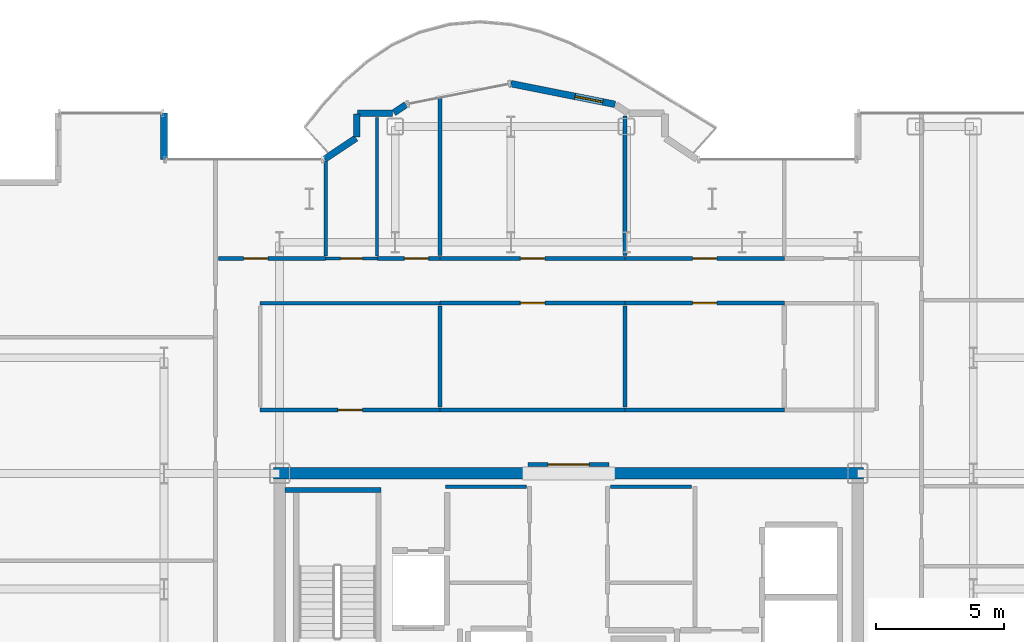
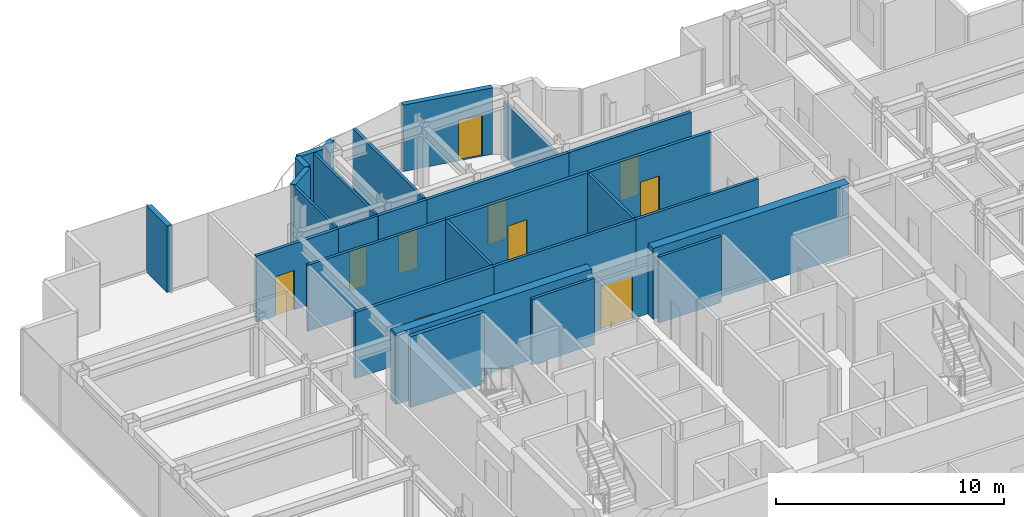
# One storey, part 18 of 21: 29 walls, 10 doors, 10 openings.
"""IFC4 building model written with IfcOpenShell, lengths in metres."""

from ifc_helpers import new_model, si_unit, direction, frame, frame_2d, origin, place, context, subcontext, project, spatial, rectangle, extrude, source, transform, mapped, material, layer, layer_set, type_object, element, fill, save


model = new_model("IFC4")

# Units and contexts
model_context = context("Model", 3, precision=1e-05, world=origin(), true_north=direction((0.0, 1.0)))
body_context = subcontext(model_context, "Body", "Model", "MODEL_VIEW")
ifc_project = project(units=[si_unit("LENGTHUNIT", "METRE"), si_unit("AREAUNIT", "SQUARE_METRE"), si_unit("VOLUMEUNIT", "CUBIC_METRE"), si_unit("PLANEANGLEUNIT", "RADIAN"), si_unit("MASSUNIT", "GRAM", prefix="KILO")], contexts=[model_context])

# Site, building, storey
site_placement = place(None, origin())
site = spatial("IfcSite", under=ifc_project, at=site_placement, CompositionType="ELEMENT")
building_placement = place(site_placement, origin())
building = spatial("IfcBuilding", under=site, at=building_placement, Name="Nefas-Gora Pilgrimage Tower", CompositionType="ELEMENT")
storey_placement = place(building_placement, frame((0.0, 0.0, 248.39990234375)))
storey = spatial("IfcBuildingStorey", under=building, at=storey_placement, Name="L62", CompositionType="ELEMENT", Elevation=248.39990234375)

# Walls
ifc_material_1 = material(Name="Concrete C50/60", Category="concrete")
ifc_layer_1 = layer(ifc_material_1, 0.449951171875)
ifc_layer_set_1 = layer_set([ifc_layer_1], Name="Concrete C50/60")
wall_type_1 = type_object("IfcWallType", Name="SW-CORE-450", PredefinedType="SHEAR", material=ifc_layer_set_1)
shared_shape_1 = source(origin(), body_context, "Body", "SweptSolid", [
    extrude(rectangle(XDim=9.925048828125, YDim=0.449951171875, at=frame_2d((4.96240234375, 0.0))), origin(), (0.0, 0.0, 1.0), 3.800048828125),
])
for number, where, z_axis, x_axis, name in (
    (1, (-11.47509765625, 9.0, 0.0), (0.0, 0.0, 1.0), (1.0, 0.0, 0.0), "L62 Core Shear Wall N-West"),
    (2, (1.550048828125, 9.0, 0.0), (0.0, 0.0, 1.0), (1.0, 0.0, 0.0), "L62 Core Shear Wall N-East"),
):
    element("IfcWall", number, at=place(storey_placement, frame(where, z_axis=z_axis, x_axis=x_axis)), inside=storey, type_object=wall_type_1, Name=name, PredefinedType="SHEAR", context=body_context, shape_type="MappedRepresentation", body=[
        mapped(shared_shape_1, transform((0.0, 0.0, 0.0), x_axis=(1.0, 0.0, 0.0), y_axis=(0.0, 1.0, 0.0), z_axis=(0.0, 0.0, 1.0), scale=1.0)),
    ])
ifc_material_2 = material(Name="Precast concrete C40/50", Category="concrete")
ifc_layer_2 = layer(ifc_material_2, 0.260009765625)
ifc_layer_set_2 = layer_set([ifc_layer_2], Name="Precast concrete C40/50")
wall_type_2 = type_object("IfcWallType", Name="EW-PORTAL-260", PredefinedType="SOLIDWALL", material=ifc_layer_set_2)
shared_shape_2 = source(origin(), body_context, "Body", "SweptSolid", [
    extrude(rectangle(XDim=1.800048828125, YDim=0.260009765625, at=frame_2d((0.89990234375, 0.0))), origin(), (0.0, 0.0, 1.0), 3.550048828125),
])
wall_1_placement = place(storey_placement, frame((-15.75, 21.219970703125, 0.0), z_axis=(0.0, 0.0, 1.0), x_axis=(0.0, 1.0, 0.0)))
element("IfcWall", 3, at=wall_1_placement, inside=storey, type_object=wall_type_2, Name="L62 Lobe Shoulder Precast Spandrel Pier 20", PredefinedType="SOLIDWALL", context=body_context, shape_type="MappedRepresentation", body=[
    mapped(shared_shape_2, transform((0.0, 0.0, 0.0), x_axis=(1.0, 0.0, 0.0), y_axis=(0.0, 1.0, 0.0), z_axis=(0.0, 0.0, 1.0), scale=1.0)),
])
shared_shape_3 = source(origin(), body_context, "Body", "SweptSolid", [
    extrude(rectangle(XDim=1.468994140625, YDim=0.260009765625, at=frame_2d((0.734375, 0.0))), origin(), (0.0, 0.0, 1.0), 3.550048828125),
])
wall_2_placement = place(storey_placement, frame((-8.273193359375, 22.0517578125, 0.0), z_axis=(0.0, 0.0, 1.0), x_axis=(-0.831461760506, -0.555581983884, 0.0)))
element("IfcWall", 4, at=wall_2_placement, inside=storey, type_object=wall_type_2, Name="L62 Lobe Shoulder Precast Spandrel Pier 19", PredefinedType="SOLIDWALL", context=body_context, shape_type="MappedRepresentation", body=[
    mapped(shared_shape_3, transform((0.0, 0.0, 0.0), x_axis=(1.0, 0.0, 0.0), y_axis=(0.0, 1.0, 0.0), z_axis=(0.0, 0.0, 1.0), scale=1.0)),
])
shared_shape_4 = source(origin(), body_context, "Body", "SweptSolid", [
    extrude(rectangle(XDim=0.896728515625, YDim=0.260009765625, at=frame_2d((0.4482421875, 0.0))), origin(), (0.0, 0.0, 1.0), 3.550048828125),
])
wall_3_placement = place(storey_placement, frame((-8.25, 22.991943359375, 0.0), z_axis=(0.0, 0.0, 1.0), x_axis=(0.0, -1.0, 0.0)))
element("IfcWall", 5, at=wall_3_placement, inside=storey, type_object=wall_type_2, Name="L62 Lobe Shoulder Precast Spandrel Pier 18", PredefinedType="SOLIDWALL", context=body_context, shape_type="MappedRepresentation", body=[
    mapped(shared_shape_4, transform((0.0, 0.0, 0.0), x_axis=(1.0, 0.0, 0.0), y_axis=(0.0, 1.0, 0.0), z_axis=(0.0, 0.0, 1.0), scale=1.0)),
])
shared_shape_5 = source(origin(), body_context, "Body", "SweptSolid", [
    extrude(rectangle(XDim=1.369873046875, YDim=0.260009765625, at=frame_2d((0.68505859375, 0.0))), origin(), (0.0, 0.0, 1.0), 3.550048828125),
])
wall_4_placement = place(storey_placement, frame((-6.85205078125, 23.02001953125, 0.0), z_axis=(0.0, 0.0, 1.0), x_axis=(-1.0, 0.0, 0.0)))
element("IfcWall", 6, at=wall_4_placement, inside=storey, type_object=wall_type_2, Name="L62 Lobe Shoulder Precast Spandrel Pier 17", PredefinedType="SOLIDWALL", context=body_context, shape_type="MappedRepresentation", body=[
    mapped(shared_shape_5, transform((0.0, 0.0, 0.0), x_axis=(1.0, 0.0, 0.0), y_axis=(0.0, 1.0, 0.0), z_axis=(0.0, 0.0, 1.0), scale=1.0)),
])
shared_shape_6 = source(origin(), body_context, "Body", "SweptSolid", [
    extrude(rectangle(XDim=0.5654296875, YDim=0.260009765625, at=frame_2d((0.28271484375, 0.0))), origin(), (0.0, 0.0, 1.0), 3.550048828125),
])
wall_5_placement = place(storey_placement, frame((-6.33056640625, 23.349609375, 0.0), z_axis=(0.0, 0.0, 1.0), x_axis=(-0.831651492666, -0.555297933317, 0.0)))
element("IfcWall", 7, at=wall_5_placement, inside=storey, type_object=wall_type_2, Name="L62 Lobe Shoulder Precast Spandrel Pier 16", PredefinedType="SOLIDWALL", context=body_context, shape_type="MappedRepresentation", body=[
    mapped(shared_shape_6, transform((0.0, 0.0, 0.0), x_axis=(1.0, 0.0, 0.0), y_axis=(0.0, 1.0, 0.0), z_axis=(0.0, 0.0, 1.0), scale=1.0)),
])

# Wall, opening, door
shared_shape_7 = source(origin(), body_context, "Body", "SweptSolid", [
    extrude(rectangle(XDim=4.136962890625, YDim=0.260009765625, at=frame_2d((2.068359375, 0.0))), origin(), (0.0, 0.0, 1.0), 3.550048828125),
])
wall_6_placement = place(storey_placement, frame((1.807373046875, 23.365234375, 0.0), z_axis=(0.0, 0.0, 1.0), x_axis=(-0.980782170794, 0.195105954428, 0.0)))
wall_6 = element("IfcWall", 8, at=wall_6_placement, inside=storey, type_object=wall_type_2, Name="L62 Insulated Terrace Portal Wall 15", PredefinedType="SOLIDWALL", context=body_context, shape_type="MappedRepresentation", body=[
    mapped(shared_shape_7, transform((0.0, 0.0, 0.0), x_axis=(1.0, 0.0, 0.0), y_axis=(0.0, 1.0, 0.0), z_axis=(0.0, 0.0, 1.0), scale=1.0)),
])
opening_1_placement = place(wall_6_placement, frame((0.48779296875, 0.0, 0.0)))
opening_1 = element("IfcOpeningElement", 9, at=opening_1_placement, cuts=wall_6, Name="Opening ED-B1", PredefinedType="OPENING", context=body_context, shape_type="SweptSolid", body=[
    extrude(rectangle(XDim=1.10009765625, YDim=2.199951171875, at=frame_2d((0.550048828125, 1.10009765625))), frame((0.0, 0.139892578125, 0.0), z_axis=(0.0, -1.0, 0.0), x_axis=(1.0, 0.0, 0.0)), (0.0, 0.0, 1.0), 0.280029296875),
])
ifc_material_3 = material(Name="Thermally broken glazed aluminium balcony door", Category="aluminium")
door_type_1 = type_object("IfcDoorType", Name="DR-EXT-BAL-1100", OperationType="NOTDEFINED", PredefinedType="DOOR", material=ifc_material_3)
shared_shape_8 = source(origin(), body_context, "Body", "SweptSolid", [
    extrude(rectangle(XDim=1.10009765625, YDim=2.199951171875, at=frame_2d((0.550048828125, 1.10009765625))), frame((0.0, 0.02490234375, 0.0), z_axis=(0.0, -1.0, 0.0), x_axis=(1.0, 0.0, 0.0)), (0.0, 0.0, 1.0), 0.050048828125),
])
door_1_placement = place(opening_1_placement, origin())
door_1 = element("IfcDoor", 10, at=door_1_placement, inside=storey, type_object=door_type_1, Name="L62 Exterior Door (L62 N Lobe Wave Balcony)", OperationType="SINGLE_SWING_LEFT", OverallHeight=2.199951171875, OverallWidth=1.10009765625, PredefinedType="DOOR", context=body_context, shape_type="MappedRepresentation", body=[
    mapped(shared_shape_8, transform((0.0, 0.0, 0.0), x_axis=(1.0, 0.0, 0.0), y_axis=(0.0, 1.0, 0.0), z_axis=(0.0, 0.0, 1.0), scale=1.0)),
])
fill(opening_1, door_1)

# Walls
ifc_material_4 = material(Name="Concrete C45/55", Category="concrete")
ifc_layer_3 = layer(ifc_material_4, 0.199951171875)
ifc_layer_set_3 = layer_set([ifc_layer_3], Name="Concrete C45/55")
wall_type_3 = type_object("IfcWallType", Name="IW-STAIR-200", PredefinedType="SOLIDWALL", material=ifc_layer_set_3)
shared_shape_9 = source(origin(), body_context, "Body", "SweptSolid", [
    extrude(rectangle(XDim=3.72998046875, YDim=0.199951171875, at=frame_2d((1.864990234375, 0.0))), origin(), (0.0, 0.0, 1.0), 3.800048828125),
])
wall_7_placement = place(storey_placement, frame((-7.300048828125, 8.35009765625, 0.0), z_axis=(0.0, 0.0, 1.0), x_axis=(-1.0, 0.0, 0.0)))
element("IfcWall", 11, at=wall_7_placement, inside=storey, type_object=wall_type_3, Name="L62 Stairwell Shear Wall ST-01-far", PredefinedType="SOLIDWALL", context=body_context, shape_type="MappedRepresentation", body=[
    mapped(shared_shape_9, transform((0.0, 0.0, 0.0), x_axis=(1.0, 0.0, 0.0), y_axis=(0.0, 1.0, 0.0), z_axis=(0.0, 0.0, 1.0), scale=1.0)),
])
ifc_material_5 = material(Name="Gypsum twin-stud partition")
ifc_layer_4 = layer(ifc_material_5, 0.139892578125)
ifc_layer_set_4 = layer_set([ifc_layer_4], Name="Gypsum twin-stud partition")
wall_type_4 = type_object("IfcWallType", Name="IW-UNIT-140", PredefinedType="PARTITIONING", material=ifc_layer_set_4)
shared_shape_10 = source(origin(), body_context, "Body", "SweptSolid", [
    extrude(rectangle(XDim=3.150146484375, YDim=0.139892578125, at=frame_2d((1.5751953125, 0.0))), origin(), (0.0, 0.0, 1.0), 3.53515625),
])
for number, where, z_axis, x_axis, name in (
    (12, (-4.7900390625, 8.47998046875, 0.0), (0.0, 0.0, 1.0), (1.0, 0.0, 0.0), "L62 Archival Supply Store Partition Wall 21"),
    (13, (1.639892578125, 8.47998046875, 0.0), (0.0, 0.0, 1.0), (1.0, 0.0, 0.0), "L62 Amenity Supply Store Partition Wall 25"),
):
    element("IfcWall", number, at=place(storey_placement, frame(where, z_axis=z_axis, x_axis=x_axis)), inside=storey, type_object=wall_type_4, Name=name, PredefinedType="PARTITIONING", context=body_context, shape_type="MappedRepresentation", body=[
        mapped(shared_shape_10, transform((0.0, 0.0, 0.0), x_axis=(1.0, 0.0, 0.0), y_axis=(0.0, 1.0, 0.0), z_axis=(0.0, 0.0, 1.0), scale=1.0)),
    ])

# Wall, opening, door
ifc_material_6 = material(Name="Moisture-resistant fire-rated gypsum partition")
ifc_layer_5 = layer(ifc_material_6, 0.1201171875)
ifc_layer_set_5 = layer_set([ifc_layer_5], Name="Moisture-resistant fire-rated gypsum partition")
wall_type_5 = type_object("IfcWallType", Name="IW-WET-120", PredefinedType="PLUMBINGWALL", material=ifc_layer_set_5)
shared_shape_11 = source(origin(), body_context, "Body", "SweptSolid", [
    extrude(rectangle(XDim=2.02001953125, YDim=0.1201171875, at=frame_2d((1.010009765625, 0.0))), origin(), (0.0, 0.0, 1.0), 3.53515625),
])
wall_8_placement = place(storey_placement, frame((-9.4599609375, 17.3701171875, 0.0), z_axis=(0.0, 0.0, 1.0), x_axis=(1.0, 0.0, 0.0)))
wall_8 = element("IfcWall", 14, at=wall_8_placement, inside=storey, type_object=wall_type_5, Name="L62 Accessible Unisex WC Partition Wall 29", PredefinedType="PLUMBINGWALL", context=body_context, shape_type="MappedRepresentation", body=[
    mapped(shared_shape_11, transform((0.0, 0.0, 0.0), x_axis=(1.0, 0.0, 0.0), y_axis=(0.0, 1.0, 0.0), z_axis=(0.0, 0.0, 1.0), scale=1.0)),
])
opening_2_placement = place(wall_8_placement, frame((0.5849609375, 0.0, 0.0)))
opening_2 = element("IfcOpeningElement", 15, at=opening_2_placement, cuts=wall_8, Name="Opening ID-BT1", PredefinedType="OPENING", context=body_context, shape_type="SweptSolid", body=[
    extrude(rectangle(XDim=0.85009765625, YDim=2.10009765625, at=frame_2d((0.425048828125, 1.050048828125))), frame((0.0, 0.070068359375, 0.0), z_axis=(0.0, -1.0, 0.0), x_axis=(1.0, 0.0, 0.0)), (0.0, 0.0, 1.0), 0.14013671875),
])
ifc_material_7 = material(Name="Moisture-resistant fire-rated timber door", Category="wood")
door_type_2 = type_object("IfcDoorType", Name="DR-INT-BATH-850", OperationType="NOTDEFINED", PredefinedType="DOOR", material=ifc_material_7)
shared_shape_12 = source(origin(), body_context, "Body", "SweptSolid", [
    extrude(rectangle(XDim=0.85009765625, YDim=2.10009765625, at=frame_2d((0.425048828125, 1.050048828125))), frame((0.0, 0.02490234375, 0.0), z_axis=(0.0, -1.0, 0.0), x_axis=(1.0, 0.0, 0.0)), (0.0, 0.0, 1.0), 0.050048828125),
])
door_2_placement = place(opening_2_placement, origin())
door_2 = element("IfcDoor", 16, at=door_2_placement, inside=storey, type_object=door_type_2, Name="L62 Accessible Unisex WC Door 12", OperationType="SINGLE_SWING_RIGHT", OverallHeight=2.10009765625, OverallWidth=0.85009765625, PredefinedType="DOOR", context=body_context, shape_type="MappedRepresentation", body=[
    mapped(shared_shape_12, transform((0.0, 0.0, 0.0), x_axis=(1.0, 0.0, 0.0), y_axis=(0.0, 1.0, 0.0), z_axis=(0.0, 0.0, 1.0), scale=1.0)),
])
fill(opening_2, door_2)

ifc_material_8 = material(Name="Gypsum acoustic stud partition")
ifc_layer_6 = layer(ifc_material_8, 0.159912109375)
ifc_layer_set_6 = layer_set([ifc_layer_6], Name="Gypsum acoustic stud partition")
wall_type_6 = type_object("IfcWallType", Name="IW-CORR-160", PredefinedType="PARTITIONING", material=ifc_layer_set_6)
shared_shape_13 = source(origin(), body_context, "Body", "SweptSolid", [
    extrude(rectangle(XDim=6.2099609375, YDim=0.159912109375, at=frame_2d((3.10498046875, 0.0))), origin(), (0.0, 0.0, 1.0), 3.53515625),
])
wall_9_placement = place(storey_placement, frame((2.195068359375, 17.3701171875, 0.0), z_axis=(0.0, 0.0, 1.0), x_axis=(1.0, 0.0, 0.0)))
wall_9 = element("IfcWall", 17, at=wall_9_placement, inside=storey, type_object=wall_type_6, Name="L62 Pilgrim Contemplative Lounge Partition Wall 68", PredefinedType="PARTITIONING", context=body_context, shape_type="MappedRepresentation", body=[
    mapped(shared_shape_13, transform((0.0, 0.0, 0.0), x_axis=(1.0, 0.0, 0.0), y_axis=(0.0, 1.0, 0.0), z_axis=(0.0, 0.0, 1.0), scale=1.0)),
])
opening_3_placement = place(wall_9_placement, frame((2.6298828125, 0.0, 0.0)))
opening_3 = element("IfcOpeningElement", 18, at=opening_3_placement, cuts=wall_9, Name="Opening ID-GR1", PredefinedType="OPENING", context=body_context, shape_type="SweptSolid", body=[
    extrude(rectangle(XDim=0.949951171875, YDim=2.10009765625, at=frame_2d((0.47509765625, 1.050048828125))), frame((0.0, 0.08984375, 0.0), z_axis=(0.0, -1.0, 0.0), x_axis=(1.0, 0.0, 0.0)), (0.0, 0.0, 1.0), 0.179931640625),
])
ifc_material_9 = material(Name="Solid core oak fire-rated guest entrance door")
door_type_3 = type_object("IfcDoorType", Name="DR-INT-GUEST-950", OperationType="NOTDEFINED", PredefinedType="DOOR", material=ifc_material_9)
shared_shape_14 = source(origin(), body_context, "Body", "SweptSolid", [
    extrude(rectangle(XDim=0.949951171875, YDim=2.10009765625, at=frame_2d((0.47509765625, 1.050048828125))), frame((0.0, 0.02490234375, 0.0), z_axis=(0.0, -1.0, 0.0), x_axis=(1.0, 0.0, 0.0)), (0.0, 0.0, 1.0), 0.050048828125),
])
door_3_placement = place(opening_3_placement, origin())
door_3 = element("IfcDoor", 19, at=door_3_placement, inside=storey, type_object=door_type_3, Name="L62 Pilgrim Contemplative Lounge Door 31", OperationType="SINGLE_SWING_LEFT", OverallHeight=2.10009765625, OverallWidth=0.949951171875, PredefinedType="DOOR", context=body_context, shape_type="MappedRepresentation", body=[
    mapped(shared_shape_14, transform((0.0, 0.0, 0.0), x_axis=(1.0, 0.0, 0.0), y_axis=(0.0, 1.0, 0.0), z_axis=(0.0, 0.0, 1.0), scale=1.0)),
])
fill(opening_3, door_3)

wall_10_placement = place(storey_placement, frame((2.195068359375, 15.6298828125, 0.0), z_axis=(0.0, 0.0, 1.0), x_axis=(1.0, 0.0, 0.0)))
wall_10 = element("IfcWall", 20, at=wall_10_placement, inside=storey, type_object=wall_type_6, Name="L62 Pilgrim Contemplative Lounge Partition Wall 70", PredefinedType="PARTITIONING", context=body_context, shape_type="MappedRepresentation", body=[
    mapped(shared_shape_13, transform((0.0, 0.0, 0.0), x_axis=(1.0, 0.0, 0.0), y_axis=(0.0, 1.0, 0.0), z_axis=(0.0, 0.0, 1.0), scale=1.0)),
])
opening_4_placement = place(wall_10_placement, frame((2.6298828125, 0.0, 0.0)))
opening_4 = element("IfcOpeningElement", 21, at=opening_4_placement, cuts=wall_10, Name="Opening ID-GR1", PredefinedType="OPENING", context=body_context, shape_type="SweptSolid", body=[
    extrude(rectangle(XDim=0.949951171875, YDim=2.10009765625, at=frame_2d((0.47509765625, 1.050048828125))), frame((0.0, 0.08984375, 0.0), z_axis=(0.0, -1.0, 0.0), x_axis=(1.0, 0.0, 0.0)), (0.0, 0.0, 1.0), 0.179931640625),
])
door_4_placement = place(opening_4_placement, origin())
door_4 = element("IfcDoor", 22, at=door_4_placement, inside=storey, type_object=door_type_3, Name="L62 Pilgrim Contemplative Lounge Door 32", OperationType="SINGLE_SWING_RIGHT", OverallHeight=2.10009765625, OverallWidth=0.949951171875, PredefinedType="DOOR", context=body_context, shape_type="MappedRepresentation", body=[
    mapped(shared_shape_14, transform((0.0, 0.0, 0.0), x_axis=(1.0, 0.0, 0.0), y_axis=(0.0, 1.0, 0.0), z_axis=(0.0, 0.0, 1.0), scale=1.0)),
])
fill(opening_4, door_4)

# Walls
shared_shape_15 = source(origin(), body_context, "Body", "SweptSolid", [
    extrude(rectangle(XDim=5.380126953125, YDim=0.1201171875, at=frame_2d((2.68994140625, 0.0))), origin(), (0.0, 0.0, 1.0), 3.53515625),
])
wall_11_placement = place(storey_placement, frame((-7.449951171875, 17.469970703125, 0.0), z_axis=(0.0, 0.0, 1.0), x_axis=(0.0, 1.0, 0.0)))
element("IfcWall", 23, at=wall_11_placement, inside=storey, type_object=wall_type_5, Name="L62 Accessible Unisex WC Partition Wall 30", PredefinedType="PLUMBINGWALL", context=body_context, shape_type="MappedRepresentation", body=[
    mapped(shared_shape_15, transform((0.0, 0.0, 0.0), x_axis=(1.0, 0.0, 0.0), y_axis=(0.0, 1.0, 0.0), z_axis=(0.0, 0.0, 1.0), scale=1.0)),
])
shared_shape_16 = source(origin(), body_context, "Body", "SweptSolid", [
    extrude(rectangle(XDim=3.686767578125, YDim=0.1201171875, at=frame_2d((1.84326171875, 0.0))), origin(), (0.0, 0.0, 1.0), 3.53515625),
])
wall_12_placement = place(storey_placement, frame((-9.449951171875, 17.469970703125, 0.0), z_axis=(0.0, 0.0, 1.0), x_axis=(0.0, 1.0, 0.0)))
element("IfcWall", 24, at=wall_12_placement, inside=storey, type_object=wall_type_5, Name="L62 Accessible Unisex WC Partition Wall 31", PredefinedType="PLUMBINGWALL", context=body_context, shape_type="MappedRepresentation", body=[
    mapped(shared_shape_16, transform((0.0, 0.0, 0.0), x_axis=(1.0, 0.0, 0.0), y_axis=(0.0, 1.0, 0.0), z_axis=(0.0, 0.0, 1.0), scale=1.0)),
])

# Wall, opening, door
shared_shape_17 = source(origin(), body_context, "Body", "SweptSolid", [
    extrude(rectangle(XDim=7.014892578125, YDim=0.159912109375, at=frame_2d((3.50732421875, 0.0))), origin(), (0.0, 0.0, 1.0), 3.53515625),
])
wall_13_placement = place(storey_placement, frame((-12.010009765625, 11.469970703125, 0.0), z_axis=(0.0, 0.0, 1.0), x_axis=(1.0, 0.0, 0.0)))
wall_13 = element("IfcWall", 25, at=wall_13_placement, inside=storey, type_object=wall_type_6, Name="L62 Pilgrim Contemplative Lounge Partition Wall 56", PredefinedType="PARTITIONING", context=body_context, shape_type="MappedRepresentation", body=[
    mapped(shared_shape_17, transform((0.0, 0.0, 0.0), x_axis=(1.0, 0.0, 0.0), y_axis=(0.0, 1.0, 0.0), z_axis=(0.0, 0.0, 1.0), scale=1.0)),
])
opening_5_placement = place(wall_13_placement, frame((3.032470703125, 0.0, 0.0)))
opening_5 = element("IfcOpeningElement", 26, at=opening_5_placement, cuts=wall_13, Name="Opening ID-GR1", PredefinedType="OPENING", context=body_context, shape_type="SweptSolid", body=[
    extrude(rectangle(XDim=0.949951171875, YDim=2.10009765625, at=frame_2d((0.47509765625, 1.050048828125))), frame((0.0, 0.08984375, 0.0), z_axis=(0.0, -1.0, 0.0), x_axis=(1.0, 0.0, 0.0)), (0.0, 0.0, 1.0), 0.179931640625),
])
door_5_placement = place(opening_5_placement, origin())
door_5 = element("IfcDoor", 27, at=door_5_placement, inside=storey, type_object=door_type_3, Name="L62 Pilgrim Contemplative Lounge Door 26", OperationType="SINGLE_SWING_RIGHT", OverallHeight=2.10009765625, OverallWidth=0.949951171875, PredefinedType="DOOR", context=body_context, shape_type="MappedRepresentation", body=[
    mapped(shared_shape_14, transform((0.0, 0.0, 0.0), x_axis=(1.0, 0.0, 0.0), y_axis=(0.0, 1.0, 0.0), z_axis=(0.0, 0.0, 1.0), scale=1.0)),
])
fill(opening_5, door_5)

# Walls
shared_shape_18 = source(origin(), body_context, "Body", "SweptSolid", [
    extrude(rectangle(XDim=7.014892578125, YDim=0.139892578125, at=frame_2d((3.50732421875, 0.0))), origin(), (0.0, 0.0, 1.0), 3.53515625),
])
wall_14_placement = place(storey_placement, frame((-12.010009765625, 15.6298828125, 0.0), z_axis=(0.0, 0.0, 1.0), x_axis=(1.0, 0.0, 0.0)))
element("IfcWall", 28, at=wall_14_placement, inside=storey, type_object=wall_type_4, Name="L62 Pilgrim Contemplative Lounge Partition Wall 57", PredefinedType="PARTITIONING", context=body_context, shape_type="MappedRepresentation", body=[
    mapped(shared_shape_18, transform((0.0, 0.0, 0.0), x_axis=(1.0, 0.0, 0.0), y_axis=(0.0, 1.0, 0.0), z_axis=(0.0, 0.0, 1.0), scale=1.0)),
])
shared_shape_19 = source(origin(), body_context, "Body", "SweptSolid", [
    extrude(rectangle(XDim=3.929931640625, YDim=0.139892578125, at=frame_2d((1.96484375, 0.0))), origin(), (0.0, 0.0, 1.0), 3.53515625),
])
for number, where, z_axis, x_axis, name in (
    (29, (-5.0048828125, 11.590087890625, 0.0), (0.0, 0.0, 1.0), (0.0, 1.0, 0.0), "L62 Pilgrim Contemplative Lounge Partition Wall 59"),
    (30, (2.195068359375, 11.580078125, 0.0), (0.0, 0.0, 1.0), (0.0, 1.0, 0.0), "L62 Pilgrim Contemplative Lounge Partition Wall 67"),
):
    element("IfcWall", number, at=place(storey_placement, frame(where, z_axis=z_axis, x_axis=x_axis)), inside=storey, type_object=wall_type_4, Name=name, PredefinedType="PARTITIONING", context=body_context, shape_type="MappedRepresentation", body=[
        mapped(shared_shape_19, transform((0.0, 0.0, 0.0), x_axis=(1.0, 0.0, 0.0), y_axis=(0.0, 1.0, 0.0), z_axis=(0.0, 0.0, 1.0), scale=1.0)),
    ])

# Wall, opening, door
shared_shape_20 = source(origin(), body_context, "Body", "SweptSolid", [
    extrude(rectangle(XDim=2.44482421875, YDim=0.159912109375, at=frame_2d((1.222412109375, 0.0))), origin(), (0.0, 0.0, 1.0), 3.53515625),
])
wall_15_placement = place(storey_placement, frame((-7.43994140625, 17.3701171875, 0.0), z_axis=(0.0, 0.0, 1.0), x_axis=(1.0, 0.0, 0.0)))
wall_15 = element("IfcWall", 31, at=wall_15_placement, inside=storey, type_object=wall_type_6, Name="L62 Pilgrim Contemplative Lounge Partition Wall 60", PredefinedType="PARTITIONING", context=body_context, shape_type="MappedRepresentation", body=[
    mapped(shared_shape_20, transform((0.0, 0.0, 0.0), x_axis=(1.0, 0.0, 0.0), y_axis=(0.0, 1.0, 0.0), z_axis=(0.0, 0.0, 1.0), scale=1.0)),
])
opening_6_placement = place(wall_15_placement, frame((1.046630859375, 0.0, 0.0)))
opening_6 = element("IfcOpeningElement", 32, at=opening_6_placement, cuts=wall_15, Name="Opening ID-GR1", PredefinedType="OPENING", context=body_context, shape_type="SweptSolid", body=[
    extrude(rectangle(XDim=0.949951171875, YDim=2.10009765625, at=frame_2d((0.47509765625, 1.050048828125))), frame((0.0, 0.08984375, 0.0), z_axis=(0.0, -1.0, 0.0), x_axis=(1.0, 0.0, 0.0)), (0.0, 0.0, 1.0), 0.179931640625),
])
door_6_placement = place(opening_6_placement, origin())
door_6 = element("IfcDoor", 33, at=door_6_placement, inside=storey, type_object=door_type_3, Name="L62 Pilgrim Contemplative Lounge Door 27", OperationType="SINGLE_SWING_LEFT", OverallHeight=2.10009765625, OverallWidth=0.949951171875, PredefinedType="DOOR", context=body_context, shape_type="MappedRepresentation", body=[
    mapped(shared_shape_14, transform((0.0, 0.0, 0.0), x_axis=(1.0, 0.0, 0.0), y_axis=(0.0, 1.0, 0.0), z_axis=(0.0, 0.0, 1.0), scale=1.0)),
])
fill(opening_6, door_6)

# Wall
shared_shape_21 = source(origin(), body_context, "Body", "SweptSolid", [
    extrude(rectangle(XDim=6.15673828125, YDim=0.139892578125, at=frame_2d((3.078369140625, 0.0))), origin(), (0.0, 0.0, 1.0), 3.53515625),
])
wall_16_placement = place(storey_placement, frame((-5.0048828125, 17.489990234375, 0.0), z_axis=(0.0, 0.0, 1.0), x_axis=(0.0, 1.0, 0.0)))
element("IfcWall", 34, at=wall_16_placement, inside=storey, type_object=wall_type_4, Name="L62 Pilgrim Contemplative Lounge Partition Wall 61", PredefinedType="PARTITIONING", context=body_context, shape_type="MappedRepresentation", body=[
    mapped(shared_shape_21, transform((0.0, 0.0, 0.0), x_axis=(1.0, 0.0, 0.0), y_axis=(0.0, 1.0, 0.0), z_axis=(0.0, 0.0, 1.0), scale=1.0)),
])

# Wall, opening, door
shared_shape_22 = source(origin(), body_context, "Body", "SweptSolid", [
    extrude(rectangle(XDim=4.16015625, YDim=0.159912109375, at=frame_2d((2.080078125, 0.0))), origin(), (0.0, 0.0, 1.0), 3.53515625),
])
wall_17_placement = place(storey_placement, frame((-13.6201171875, 17.3701171875, 0.0), z_axis=(0.0, 0.0, 1.0), x_axis=(1.0, 0.0, 0.0)))
wall_17 = element("IfcWall", 35, at=wall_17_placement, inside=storey, type_object=wall_type_6, Name="L62 Pilgrim Contemplative Lounge Partition Wall 62", PredefinedType="PARTITIONING", context=body_context, shape_type="MappedRepresentation", body=[
    mapped(shared_shape_22, transform((0.0, 0.0, 0.0), x_axis=(1.0, 0.0, 0.0), y_axis=(0.0, 1.0, 0.0), z_axis=(0.0, 0.0, 1.0), scale=1.0)),
])
opening_7_placement = place(wall_17_placement, frame((0.968994140625, 0.0, 0.0)))
opening_7 = element("IfcOpeningElement", 36, at=opening_7_placement, cuts=wall_17, Name="Opening ID-GR1", PredefinedType="OPENING", context=body_context, shape_type="SweptSolid", body=[
    extrude(rectangle(XDim=0.949951171875, YDim=2.10009765625, at=frame_2d((0.47509765625, 1.050048828125))), frame((0.0, 0.08984375, 0.0), z_axis=(0.0, -1.0, 0.0), x_axis=(1.0, 0.0, 0.0)), (0.0, 0.0, 1.0), 0.179931640625),
])
door_7_placement = place(opening_7_placement, origin())
door_7 = element("IfcDoor", 37, at=door_7_placement, inside=storey, type_object=door_type_3, Name="L62 Pilgrim Contemplative Lounge Door 28", OperationType="SINGLE_SWING_RIGHT", OverallHeight=2.10009765625, OverallWidth=0.949951171875, PredefinedType="DOOR", context=body_context, shape_type="MappedRepresentation", body=[
    mapped(shared_shape_14, transform((0.0, 0.0, 0.0), x_axis=(1.0, 0.0, 0.0), y_axis=(0.0, 1.0, 0.0), z_axis=(0.0, 0.0, 1.0), scale=1.0)),
])
fill(opening_7, door_7)

shared_shape_23 = source(origin(), body_context, "Body", "SweptSolid", [
    extrude(rectangle(XDim=7.2099609375, YDim=0.159912109375, at=frame_2d((3.60498046875, 0.0))), origin(), (0.0, 0.0, 1.0), 3.53515625),
])
wall_18_placement = place(storey_placement, frame((-5.0048828125, 17.3701171875, 0.0), z_axis=(0.0, 0.0, 1.0), x_axis=(1.0, 0.0, 0.0)))
wall_18 = element("IfcWall", 38, at=wall_18_placement, inside=storey, type_object=wall_type_6, Name="L62 Pilgrim Contemplative Lounge Partition Wall 63", PredefinedType="PARTITIONING", context=body_context, shape_type="MappedRepresentation", body=[
    mapped(shared_shape_23, transform((0.0, 0.0, 0.0), x_axis=(1.0, 0.0, 0.0), y_axis=(0.0, 1.0, 0.0), z_axis=(0.0, 0.0, 1.0), scale=1.0)),
])
opening_8_placement = place(wall_18_placement, frame((3.1298828125, 0.0, 0.0)))
opening_8 = element("IfcOpeningElement", 39, at=opening_8_placement, cuts=wall_18, Name="Opening ID-GR1", PredefinedType="OPENING", context=body_context, shape_type="SweptSolid", body=[
    extrude(rectangle(XDim=0.949951171875, YDim=2.10009765625, at=frame_2d((0.47509765625, 1.050048828125))), frame((0.0, 0.08984375, 0.0), z_axis=(0.0, -1.0, 0.0), x_axis=(1.0, 0.0, 0.0)), (0.0, 0.0, 1.0), 0.179931640625),
])
door_8_placement = place(opening_8_placement, origin())
door_8 = element("IfcDoor", 40, at=door_8_placement, inside=storey, type_object=door_type_3, Name="L62 Pilgrim Contemplative Lounge Door 29", OperationType="SINGLE_SWING_LEFT", OverallHeight=2.10009765625, OverallWidth=0.949951171875, PredefinedType="DOOR", context=body_context, shape_type="MappedRepresentation", body=[
    mapped(shared_shape_14, transform((0.0, 0.0, 0.0), x_axis=(1.0, 0.0, 0.0), y_axis=(0.0, 1.0, 0.0), z_axis=(0.0, 0.0, 1.0), scale=1.0)),
])
fill(opening_8, door_8)

wall_19_placement = place(storey_placement, frame((-5.0048828125, 15.6298828125, 0.0), z_axis=(0.0, 0.0, 1.0), x_axis=(1.0, 0.0, 0.0)))
wall_19 = element("IfcWall", 41, at=wall_19_placement, inside=storey, type_object=wall_type_6, Name="L62 Pilgrim Contemplative Lounge Partition Wall 65", PredefinedType="PARTITIONING", context=body_context, shape_type="MappedRepresentation", body=[
    mapped(shared_shape_23, transform((0.0, 0.0, 0.0), x_axis=(1.0, 0.0, 0.0), y_axis=(0.0, 1.0, 0.0), z_axis=(0.0, 0.0, 1.0), scale=1.0)),
])
opening_9_placement = place(wall_19_placement, frame((3.1298828125, 0.0, 0.0)))
opening_9 = element("IfcOpeningElement", 42, at=opening_9_placement, cuts=wall_19, Name="Opening ID-GR1", PredefinedType="OPENING", context=body_context, shape_type="SweptSolid", body=[
    extrude(rectangle(XDim=0.949951171875, YDim=2.10009765625, at=frame_2d((0.47509765625, 1.050048828125))), frame((0.0, 0.08984375, 0.0), z_axis=(0.0, -1.0, 0.0), x_axis=(1.0, 0.0, 0.0)), (0.0, 0.0, 1.0), 0.179931640625),
])
door_9_placement = place(opening_9_placement, origin())
door_9 = element("IfcDoor", 43, at=door_9_placement, inside=storey, type_object=door_type_3, Name="L62 Pilgrim Contemplative Lounge Door 30", OperationType="SINGLE_SWING_RIGHT", OverallHeight=2.10009765625, OverallWidth=0.949951171875, PredefinedType="DOOR", context=body_context, shape_type="MappedRepresentation", body=[
    mapped(shared_shape_14, transform((0.0, 0.0, 0.0), x_axis=(1.0, 0.0, 0.0), y_axis=(0.0, 1.0, 0.0), z_axis=(0.0, 0.0, 1.0), scale=1.0)),
])
fill(opening_9, door_9)

# Wall
shared_shape_24 = source(origin(), body_context, "Body", "SweptSolid", [
    extrude(rectangle(XDim=7.2099609375, YDim=0.139892578125, at=frame_2d((3.60498046875, 0.0))), origin(), (0.0, 0.0, 1.0), 3.53515625),
])
wall_20_placement = place(storey_placement, frame((-5.0048828125, 11.469970703125, 0.0), z_axis=(0.0, 0.0, 1.0), x_axis=(1.0, 0.0, 0.0)))
element("IfcWall", 44, at=wall_20_placement, inside=storey, type_object=wall_type_4, Name="L62 Pilgrim Contemplative Lounge Partition Wall 66", PredefinedType="PARTITIONING", context=body_context, shape_type="MappedRepresentation", body=[
    mapped(shared_shape_24, transform((0.0, 0.0, 0.0), x_axis=(1.0, 0.0, 0.0), y_axis=(0.0, 1.0, 0.0), z_axis=(0.0, 0.0, 1.0), scale=1.0)),
])

# Wall, opening, door
shared_shape_25 = source(origin(), body_context, "Body", "SweptSolid", [
    extrude(rectangle(XDim=3.16015625, YDim=0.159912109375, at=frame_2d((1.580078125, 0.0))), origin(), (0.0, 0.0, 1.0), 2.625),
])
wall_21_placement = place(storey_placement, frame((-1.580078125, 9.35009765625, 0.0), z_axis=(0.0, 0.0, 1.0), x_axis=(1.0, 0.0, 0.0)))
wall_21 = element("IfcWall", 45, at=wall_21_placement, inside=storey, type_object=wall_type_6, Name="L62 Central Lift Lobby North Portal Wall 15", PredefinedType="PARTITIONING", context=body_context, shape_type="MappedRepresentation", body=[
    mapped(shared_shape_25, transform((0.0, 0.0, 0.0), x_axis=(1.0, 0.0, 0.0), y_axis=(0.0, 1.0, 0.0), z_axis=(0.0, 0.0, 1.0), scale=1.0)),
])
opening_10_placement = place(wall_21_placement, frame((0.780029296875, 0.0, 0.0)))
opening_10 = element("IfcOpeningElement", 46, at=opening_10_placement, cuts=wall_21, Name="Opening ID-HL1", PredefinedType="OPENING", context=body_context, shape_type="SweptSolid", body=[
    extrude(rectangle(XDim=1.60009765625, YDim=2.300048828125, at=frame_2d((0.800048828125, 1.14990234375))), frame((0.0, 0.08984375, 0.0), z_axis=(0.0, -1.0, 0.0), x_axis=(1.0, 0.0, 0.0)), (0.0, 0.0, 1.0), 0.179931640625),
])
ifc_material_10 = material(Name="Double acoustic timber assembly hall door", Category="wood")
door_type_4 = type_object("IfcDoorType", Name="DR-INT-HALL-1600", OperationType="DOUBLE_DOOR_SINGLE_SWING", PredefinedType="DOOR", material=ifc_material_10)
shared_shape_26 = source(origin(), body_context, "Body", "SweptSolid", [
    extrude(rectangle(XDim=1.60009765625, YDim=2.300048828125, at=frame_2d((0.800048828125, 1.14990234375))), frame((0.0, 0.02490234375, 0.0), z_axis=(0.0, -1.0, 0.0), x_axis=(1.0, 0.0, 0.0)), (0.0, 0.0, 1.0), 0.050048828125),
])
door_10_placement = place(opening_10_placement, origin())
door_10 = element("IfcDoor", 47, at=door_10_placement, inside=storey, type_object=door_type_4, Name="L62 Central Lift Lobby North Portal Door 5", OperationType="DOUBLE_DOOR_SINGLE_SWING", OverallHeight=2.300048828125, OverallWidth=1.60009765625, PredefinedType="DOOR", context=body_context, shape_type="MappedRepresentation", body=[
    mapped(shared_shape_26, transform((0.0, 0.0, 0.0), x_axis=(1.0, 0.0, 0.0), y_axis=(0.0, 1.0, 0.0), z_axis=(0.0, 0.0, 1.0), scale=1.0)),
])
fill(opening_10, door_10)

# Walls
shared_shape_27 = source(origin(), body_context, "Body", "SweptSolid", [
    extrude(rectangle(XDim=5.414306640625, YDim=0.139892578125, at=frame_2d((2.70703125, 0.0))), origin(), (0.0, 0.0, 1.0), 2.925048828125),
])
wall_22_placement = place(storey_placement, frame((2.195068359375, 17.489990234375, 0.0), z_axis=(0.0, 0.0, 1.0), x_axis=(0.0, 1.0, 0.0)))
element("IfcWall", 48, at=wall_22_placement, inside=storey, type_object=wall_type_4, Name="L62 Pilgrim Contemplative Lounge Partition Wall 64", PredefinedType="PARTITIONING", context=body_context, shape_type="MappedRepresentation", body=[
    mapped(shared_shape_27, transform((0.0, 0.0, 0.0), x_axis=(1.0, 0.0, 0.0), y_axis=(0.0, 1.0, 0.0), z_axis=(0.0, 0.0, 1.0), scale=1.0)),
])
shared_shape_28 = source(origin(), body_context, "Body", "SweptSolid", [
    extrude(rectangle(XDim=6.2099609375, YDim=0.139892578125, at=frame_2d((3.10498046875, 0.0))), origin(), (0.0, 0.0, 1.0), 3.53515625),
])
wall_23_placement = place(storey_placement, frame((2.195068359375, 11.469970703125, 0.0), z_axis=(0.0, 0.0, 1.0), x_axis=(1.0, 0.0, 0.0)))
element("IfcWall", 49, at=wall_23_placement, inside=storey, type_object=wall_type_4, Name="L62 Pilgrim Contemplative Lounge Partition Wall 71", PredefinedType="PARTITIONING", context=body_context, shape_type="MappedRepresentation", body=[
    mapped(shared_shape_28, transform((0.0, 0.0, 0.0), x_axis=(1.0, 0.0, 0.0), y_axis=(0.0, 1.0, 0.0), z_axis=(0.0, 0.0, 1.0), scale=1.0)),
])

save(model, "model.ifc")
